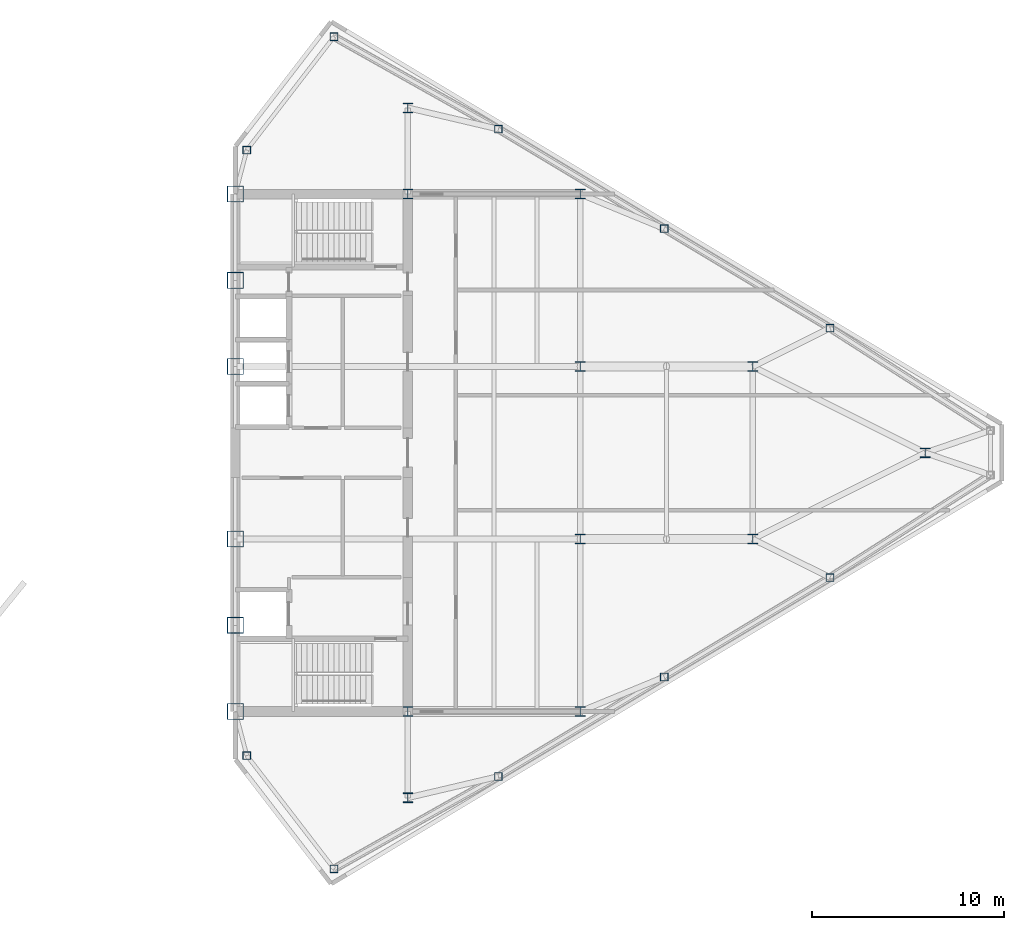
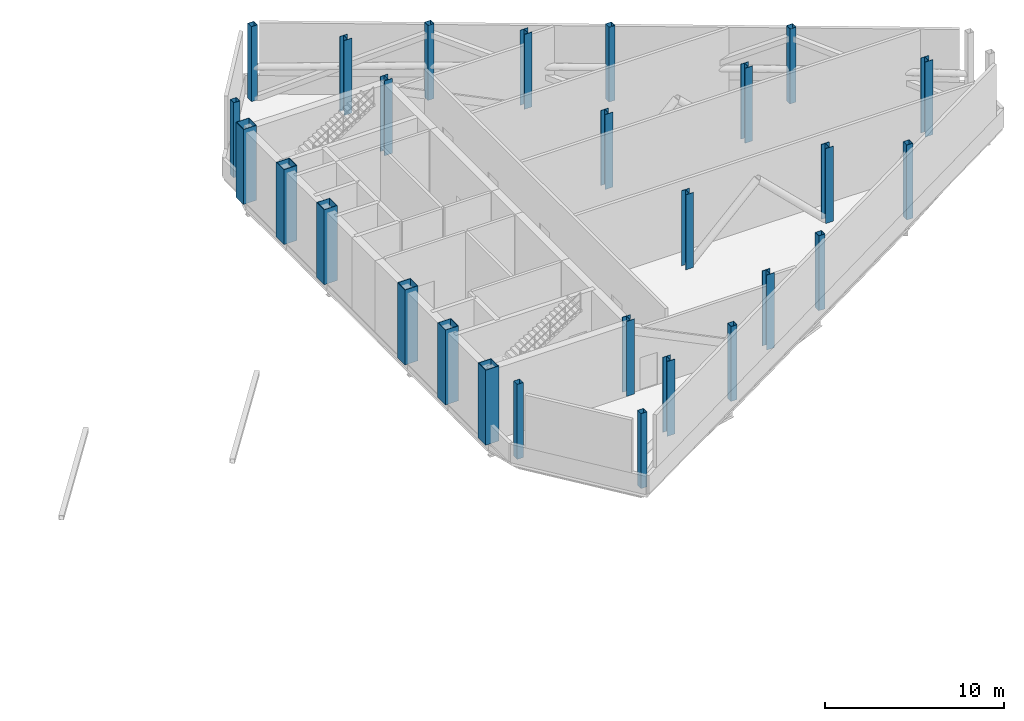
# One storey, part 3 of 13: 27 columns.
"""IFC4 building model written with IfcOpenShell, lengths in metres."""

from ifc_helpers import new_model, si_unit, direction, frame, origin, origin_2d, place, context, subcontext, project, spatial, hollow_rectangle, i_section, extrude, source, transform, mapped, material, material_profile, profile_set, type_object, type_shapes, element, save


model = new_model("IFC4")

# Units and contexts
model_context = context("Model", 3, precision=1e-05, world=origin(), true_north=direction((0.0, 1.0)))
body_context = subcontext(model_context, "Body", "Model", "MODEL_VIEW")
ifc_project = project(units=[si_unit("LENGTHUNIT", "METRE"), si_unit("AREAUNIT", "SQUARE_METRE"), si_unit("VOLUMEUNIT", "CUBIC_METRE"), si_unit("PLANEANGLEUNIT", "RADIAN"), si_unit("MASSUNIT", "GRAM", prefix="KILO")], contexts=[model_context])

# Site, building, storey
site_placement = place(None, origin())
site = spatial("IfcSite", under=ifc_project, at=site_placement, CompositionType="ELEMENT")
building_placement = place(site_placement, origin())
building = spatial("IfcBuilding", under=site, at=building_placement, Name="Seokmaru Belvedere", CompositionType="ELEMENT")
storey_placement = place(building_placement, frame((0.0, 0.0, 224.699951171875)))
storey = spatial("IfcBuildingStorey", under=building, at=storey_placement, Name="L60", CompositionType="ELEMENT", Elevation=224.699951171875)

# Columns
ifc_material_1 = material(Name="Steel HSA650 (650 MPa)", Category="steel")
ifc_material_profile_1 = material_profile(ifc_material_1, hollow_rectangle(XDim=0.85009765625, YDim=0.85009765625, WallThickness=0.035888671875, at=origin_2d()), Name="BOX-850x850x36")
ifc_profile_set_1 = profile_set([ifc_material_profile_1], Name="Steel HSA650 (650 MPa)")
column_type_1 = type_object("IfcColumnType", Name="Portal Spine Column BOX-850", PredefinedType="COLUMN", material=ifc_profile_set_1)
shared_shape_1 = source(origin(), body_context, "Body", "SweptSolid", [
    extrude(hollow_rectangle(XDim=0.85009765625, YDim=0.85009765625, WallThickness=0.035888671875, at=origin_2d()), origin(), (0.0, 0.0, 1.0), 5.10009765625),
])
type_shapes(column_type_1, [shared_shape_1])
for number, where, z_axis, x_axis, name in (
    (1, (27.5, -13.5, 0.0), (0.0, 0.0, 1.0), (1.0, 0.0, 0.0), "L60 Column ES1"),
    (2, (27.5, -9.0, 0.0), (0.0, 0.0, 1.0), (1.0, 0.0, 0.0), "L60 Column ES2"),
    (3, (27.5, -4.5, 0.0), (0.0, 0.0, 1.0), (1.0, 0.0, 0.0), "L60 Column ES3"),
    (4, (27.5, 4.5, 0.0), (0.0, 0.0, 1.0), (1.0, 0.0, 0.0), "L60 Column ES4"),
    (5, (27.5, 9.0, 0.0), (0.0, 0.0, 1.0), (1.0, 0.0, 0.0), "L60 Column ES5"),
    (6, (27.5, 13.5, 0.0), (0.0, 0.0, 1.0), (1.0, 0.0, 0.0), "L60 Column ES6"),
):
    element("IfcColumn", number, at=place(storey_placement, frame(where, z_axis=z_axis, x_axis=x_axis)), inside=storey, type_object=column_type_1, Name=name, PredefinedType="COLUMN", context=body_context, shape_type="MappedRepresentation", body=[
        mapped(shared_shape_1, transform((0.0, 0.0, 0.0), scale=1.0)),
    ])
ifc_material_2 = material(Name="Steel SM355 (355 MPa)", Category="steel")
ifc_material_profile_2 = material_profile(ifc_material_2, i_section(OverallWidth=0.5, OverallDepth=0.5, WebThickness=0.02001953125, FlangeThickness=0.031982421875, at=origin_2d()), Name="H-500x500x20x32")
ifc_profile_set_2 = profile_set([ifc_material_profile_2], Name="Steel SM355 (355 MPa)")
column_type_2 = type_object("IfcColumnType", Name="High-Rise Interior Column H-500", PredefinedType="COLUMN", material=ifc_profile_set_2)
shared_shape_2 = source(origin(), body_context, "Body", "SweptSolid", [
    extrude(i_section(OverallWidth=0.5, OverallDepth=0.5, WebThickness=0.02001953125, FlangeThickness=0.031982421875, at=origin_2d()), origin(), (0.0, 0.0, 1.0), 5.10009765625),
])
type_shapes(column_type_2, [shared_shape_2])
for number, where, z_axis, x_axis, name in (
    (7, (36.5, -18.0, 0.0), (0.0, 0.0, 1.0), (1.0, 0.0, 0.0), "L60 Column EC1"),
    (8, (36.5, -13.5, 0.0), (0.0, 0.0, 1.0), (1.0, 0.0, 0.0), "L60 Column EC2"),
    (9, (36.5, 13.5, 0.0), (0.0, 0.0, 1.0), (1.0, 0.0, 0.0), "L60 Column EC3"),
    (10, (36.5, 18.0, 0.0), (0.0, 0.0, 1.0), (1.0, 0.0, 0.0), "L60 Column EC4"),
    (11, (45.5, -13.5, 0.0), (0.0, 0.0, 1.0), (1.0, 0.0, 0.0), "L60 Column EG5_1"),
    (12, (45.5, -4.5, 0.0), (0.0, 0.0, 1.0), (1.0, 0.0, 0.0), "L60 Column EG5_2"),
    (13, (45.5, 4.5, 0.0), (0.0, 0.0, 1.0), (1.0, 0.0, 0.0), "L60 Column EG5_3"),
    (14, (45.5, 13.5, 0.0), (0.0, 0.0, 1.0), (1.0, 0.0, 0.0), "L60 Column EG5_4"),
    (15, (54.5, -4.5, 0.0), (0.0, 0.0, 1.0), (1.0, 0.0, 0.0), "L60 Column EG4P_1"),
    (16, (54.5, 4.5, 0.0), (0.0, 0.0, 1.0), (1.0, 0.0, 0.0), "L60 Column EG4P_2"),
    (17, (63.5, 0.0, 0.0), (0.0, 0.0, 1.0), (1.0, 0.0, 0.0), "L60 Column EG3P_1"),
):
    element("IfcColumn", number, at=place(storey_placement, frame(where, z_axis=z_axis, x_axis=x_axis)), inside=storey, type_object=column_type_2, Name=name, PredefinedType="COLUMN", context=body_context, shape_type="MappedRepresentation", body=[
        mapped(shared_shape_2, transform((0.0, 0.0, 0.0), scale=1.0)),
    ])
ifc_material_profile_3 = material_profile(ifc_material_2, hollow_rectangle(XDim=0.39990234375, YDim=0.39990234375, WallThickness=0.01611328125, at=origin_2d()), Name="HSS-400x400x16")
ifc_profile_set_3 = profile_set([ifc_material_profile_3], Name="Steel SM355 (355 MPa)")
column_type_3 = type_object("IfcColumnType", Name="Perimeter Facet Column HSS-400", PredefinedType="COLUMN", material=ifc_profile_set_3)
shared_shape_3 = source(origin(), body_context, "Body", "SweptSolid", [
    extrude(hollow_rectangle(XDim=0.39990234375, YDim=0.39990234375, WallThickness=0.01611328125, at=origin_2d()), origin(), (0.0, 0.0, 1.0), 5.10009765625),
])
type_shapes(column_type_3, [shared_shape_3])
for number, where, z_axis, x_axis, name in (
    (18, (32.649658203125, -21.71044921875, 0.0), (0.0, 0.0, 1.0), (1.0, 0.0, 0.0), "L60 Column EF1"),
    (19, (32.649658203125, 21.71044921875, 0.0), (0.0, 0.0, 1.0), (1.0, 0.0, 0.0), "L60 Column EF4"),
    (20, (28.10009765625, 15.7958984375, 0.0), (0.0, 0.0, 1.0), (1.0, 0.0, 0.0), "L60 Column EF5"),
    (21, (28.10009765625, -15.7958984375, 0.0), (0.0, 0.0, 1.0), (1.0, 0.0, 0.0), "L60 Column EF6"),
    (22, (41.229736328125, -16.888916015625, 0.0), (0.0, 0.0, 1.0), (1.0, 0.0, 0.0), "L60 Column EFLK_S1"),
    (23, (49.8798828125, -11.698974609375, 0.0), (0.0, 0.0, 1.0), (1.0, 0.0, 0.0), "L60 Column EFLK_S2"),
    (24, (58.530029296875, -6.5087890625, 0.0), (0.0, 0.0, 1.0), (1.0, 0.0, 0.0), "L60 Column EFLK_S3"),
    (25, (41.229736328125, 16.888916015625, 0.0), (0.0, 0.0, 1.0), (1.0, 0.0, 0.0), "L60 Column EFLK_N1"),
    (26, (49.8798828125, 11.698974609375, 0.0), (0.0, 0.0, 1.0), (1.0, 0.0, 0.0), "L60 Column EFLK_N2"),
    (27, (58.530029296875, 6.5087890625, 0.0), (0.0, 0.0, 1.0), (1.0, 0.0, 0.0), "L60 Column EFLK_N3"),
):
    element("IfcColumn", number, at=place(storey_placement, frame(where, z_axis=z_axis, x_axis=x_axis)), inside=storey, type_object=column_type_3, Name=name, PredefinedType="COLUMN", context=body_context, shape_type="MappedRepresentation", body=[
        mapped(shared_shape_3, transform((0.0, 0.0, 0.0), scale=1.0)),
    ])

save(model, "model.ifc")
